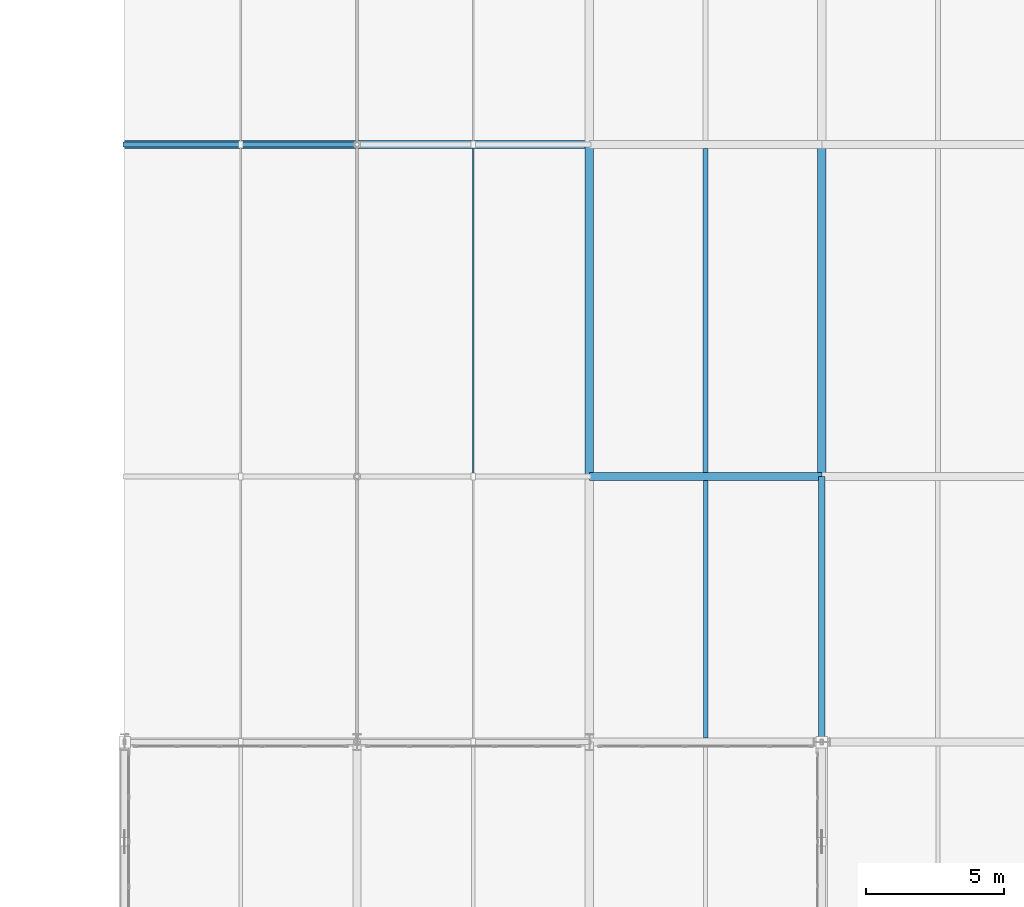
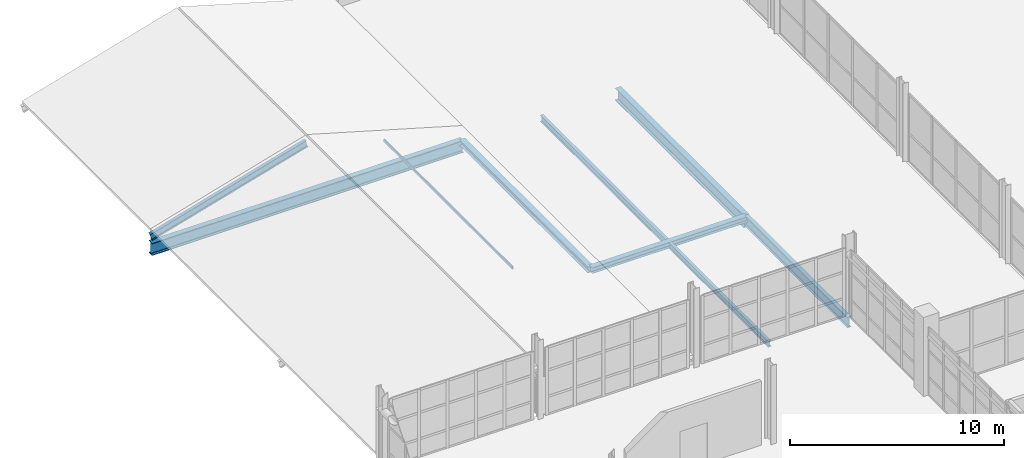
# One storey, part 35 of 130: 8 beams, 1 member.
"""IFC4 building model written with IfcOpenShell, lengths in metres."""

from ifc_helpers import new_model, si_unit, direction, frame, origin, origin_2d, place, context, subcontext, project, spatial, hollow_rectangle, i_section, extrude, material, material_profile, profile_set, type_object, element, save


model = new_model("IFC4")

# Units and contexts
model_context = context("Model", 3, precision=1e-05, world=origin(), true_north=direction((0.0, 1.0)))
body_context = subcontext(model_context, "Body", "Model", "MODEL_VIEW")
ifc_project = project(units=[si_unit("LENGTHUNIT", "METRE"), si_unit("AREAUNIT", "SQUARE_METRE"), si_unit("VOLUMEUNIT", "CUBIC_METRE"), si_unit("PLANEANGLEUNIT", "RADIAN"), si_unit("MASSUNIT", "GRAM", prefix="KILO")], contexts=[model_context])

# Site, building, storey
site_placement = place(None, origin())
site = spatial("IfcSite", under=ifc_project, at=site_placement, CompositionType="ELEMENT")
building_placement = place(site_placement, origin())
building = spatial("IfcBuilding", under=site, at=building_placement, Name="Veltarok Museum of Natural Sciences", CompositionType="ELEMENT")
storey_placement = place(building_placement, frame((0.0, 0.0, 12.89990234375)))
storey = spatial("IfcBuildingStorey", under=building, at=storey_placement, Name="L02", CompositionType="ELEMENT", Elevation=12.89990234375)

# Beams
ifc_material = material(Name="Steel S355J2", Category="steel")
ifc_material_profile_1 = material_profile(ifc_material, i_section(OverallWidth=0.169921875, OverallDepth=0.360107421875, WebThickness=0.008056640625, FlangeThickness=0.0126953125, FilletRadius=0.01806640625, at=origin_2d()), Name="IPE 360")
ifc_profile_set_1 = profile_set([ifc_material_profile_1], Name="Steel S355J2")
beam_type_1 = type_object("IfcBeamType", Name="Long-Bay Composite Joist IPE 360", PredefinedType="JOIST", material=ifc_profile_set_1)
beam_1_placement = place(storey_placement, frame((27.39990234375, 36.14794921875, -0.429931640625), z_axis=(0.0, 1.0, 0.0), x_axis=(-1.0, 0.0, 0.0)))
element("IfcBeam", 1, at=beam_1_placement, inside=storey, type_object=beam_type_1, Name="Secondary Joist BM-J01 L02 3-4/E-F.1", PredefinedType="JOIST", context=body_context, shape_type="SweptSolid", body=[
    extrude(i_section(OverallWidth=0.169921875, OverallDepth=0.360107421875, WebThickness=0.008056640625, FlangeThickness=0.0126953125, FilletRadius=0.01806640625, at=origin_2d()), origin(), (0.0, 0.0, 1.0), 11.7041015625),
])
ifc_material_profile_2 = material_profile(ifc_material, i_section(OverallWidth=0.300048828125, OverallDepth=0.699951171875, WebThickness=0.01708984375, FlangeThickness=0.031982421875, FilletRadius=0.027099609375, at=origin_2d()), Name="HEB 700")
ifc_profile_set_2 = profile_set([ifc_material_profile_2], Name="Steel S355J2")
beam_type_2 = type_object("IfcBeamType", Name="Long-Span Hall Girder HEB 700", PredefinedType="BEAM", material=ifc_profile_set_2)
beam_2_placement = place(storey_placement, frame((6.39990234375, 48.0, -0.599853515625), z_axis=(1.0, 0.0, 0.0), x_axis=(0.0, 1.0, 0.0)))
element("IfcBeam", 2, at=beam_2_placement, inside=storey, type_object=beam_type_2, Name="Auditorium Long-Span Girder L02 1-3/F", PredefinedType="BEAM", context=body_context, shape_type="SweptSolid", body=[
    extrude(i_section(OverallWidth=0.300048828125, OverallDepth=0.699951171875, WebThickness=0.01708984375, FlangeThickness=0.031982421875, FilletRadius=0.027099609375, at=origin_2d()), origin(), (0.0, 0.0, 1.0), 16.800048828125),
])
beam_3_placement = place(storey_placement, frame((31.60009765625, 36.0, -0.599853515625), z_axis=(0.0, 1.0, 0.0), x_axis=(-1.0, 0.0, 0.0)))
element("IfcBeam", 3, at=beam_3_placement, inside=storey, type_object=beam_type_2, Name="Beam BM-G01 L02 4/E-F", PredefinedType="BEAM", context=body_context, shape_type="SweptSolid", body=[
    extrude(i_section(OverallWidth=0.300048828125, OverallDepth=0.699951171875, WebThickness=0.01708984375, FlangeThickness=0.031982421875, FilletRadius=0.027099609375, at=origin_2d()), origin(), (0.0, 0.0, 1.0), 12.0),
])
ifc_material_profile_3 = material_profile(ifc_material, i_section(OverallWidth=0.159912109375, OverallDepth=0.330078125, WebThickness=0.007568359375, FlangeThickness=0.011474609375, FilletRadius=0.01806640625, at=origin_2d()), Name="IPE 330")
ifc_profile_set_3 = profile_set([ifc_material_profile_3], Name="Steel S355J2")
beam_type_3 = type_object("IfcBeamType", Name="Medium-Bay Composite Joist IPE 330", PredefinedType="JOIST", material=ifc_profile_set_3)
beam_4_placement = place(storey_placement, frame((27.39990234375, 26.548095703125, -0.414794921875), z_axis=(0.0, 1.0, 0.0), x_axis=(-1.0, 0.0, 0.0)))
element("IfcBeam", 4, at=beam_4_placement, inside=storey, type_object=beam_type_3, Name="Secondary Joist BM-J02 L02 3-4/D-E.1", PredefinedType="JOIST", context=body_context, shape_type="SweptSolid", body=[
    extrude(i_section(OverallWidth=0.159912109375, OverallDepth=0.330078125, WebThickness=0.007568359375, FlangeThickness=0.011474609375, FilletRadius=0.01806640625, at=origin_2d()), origin(), (0.0, 0.0, 1.0), 9.303955078125),
])
ifc_material_profile_4 = material_profile(ifc_material, i_section(OverallWidth=0.300048828125, OverallDepth=0.330078125, WebThickness=0.009521484375, FlangeThickness=0.0166015625, FilletRadius=0.027099609375, at=origin_2d()), Name="HEA 340")
ifc_profile_set_4 = profile_set([ifc_material_profile_4], Name="Steel S355J2")
beam_type_4 = type_object("IfcBeamType", Name="Perimeter Upper Spandrel HEA 340", PredefinedType="SPANDREL", material=ifc_profile_set_4)
beam_5_placement = place(storey_placement, frame((23.199951171875, 36.0, -0.414794921875), z_axis=(1.0, 0.0, 0.0), x_axis=(0.0, 1.0, 0.0)))
element("IfcBeam", 5, at=beam_5_placement, inside=storey, type_object=beam_type_4, Name="Beam BM-SP05 L02 3-4/E", PredefinedType="SPANDREL", context=body_context, shape_type="SweptSolid", body=[
    extrude(i_section(OverallWidth=0.300048828125, OverallDepth=0.330078125, WebThickness=0.009521484375, FlangeThickness=0.0166015625, FilletRadius=0.027099609375, at=origin_2d()), origin(), (0.0, 0.0, 1.0), 8.400146484375),
])
beam_6_placement = place(storey_placement, frame((23.199951171875, 36.0, -0.414794921875), z_axis=(0.0, 1.0, 0.0), x_axis=(-1.0, 0.0, 0.0)))
element("IfcBeam", 6, at=beam_6_placement, inside=storey, type_object=beam_type_4, Name="Beam BM-SP05 L02 3/E-F", PredefinedType="SPANDREL", context=body_context, shape_type="SweptSolid", body=[
    extrude(i_section(OverallWidth=0.300048828125, OverallDepth=0.330078125, WebThickness=0.009521484375, FlangeThickness=0.0166015625, FilletRadius=0.027099609375, at=origin_2d()), origin(), (0.0, 0.0, 1.0), 12.0),
])
ifc_material_profile_5 = material_profile(ifc_material, i_section(OverallWidth=0.219970703125, OverallDepth=0.60009765625, WebThickness=0.011962890625, FlangeThickness=0.01904296875, FilletRadius=0.02392578125, at=origin_2d()), Name="IPE 600")
ifc_profile_set_5 = profile_set([ifc_material_profile_5], Name="Steel S355J2")
beam_type_5 = type_object("IfcBeamType", Name="Primary Museum Girder IPE 600", PredefinedType="BEAM", material=ifc_profile_set_5)
beam_7_placement = place(storey_placement, frame((31.60009765625, 26.39990234375, -0.5498046875), z_axis=(0.0, 1.0, 0.0), x_axis=(-1.0, 0.0, 0.0)))
element("IfcBeam", 7, at=beam_7_placement, inside=storey, type_object=beam_type_5, Name="Beam BM-G02 L02 4/D-E", PredefinedType="BEAM", context=body_context, shape_type="SweptSolid", body=[
    extrude(i_section(OverallWidth=0.219970703125, OverallDepth=0.60009765625, WebThickness=0.011962890625, FlangeThickness=0.01904296875, FilletRadius=0.02392578125, at=origin_2d()), origin(), (0.0, 0.0, 1.0), 9.60009765625),
])

# Member
ifc_material_profile_6 = material_profile(ifc_material, hollow_rectangle(XDim=0.06005859375, YDim=0.159912109375, WallThickness=0.0048828125, at=origin_2d()), Name="RHS 160x60x5")
ifc_profile_set_6 = profile_set([ifc_material_profile_6], Name="Steel S355J2")
member_type = type_object("IfcMemberType", Name="Sawtooth Roof Purlin RHS 160x60x5", PredefinedType="PURLIN", material=ifc_profile_set_6)
member_placement = place(storey_placement, frame((19.0, 36.0, 1.13623046875), z_axis=(0.0, 1.0, 0.0), x_axis=(-1.0, 0.0, 0.0)))
element("IfcMember", 8, at=member_placement, inside=storey, type_object=member_type, Name="Auditorium Roof Purlin ME E-F", PredefinedType="PURLIN", context=body_context, shape_type="SweptSolid", body=[
    extrude(hollow_rectangle(XDim=0.06005859375, YDim=0.159912109375, WallThickness=0.0048828125, at=origin_2d()), origin(), (0.0, 0.0, 1.0), 12.0),
])

# Beam
ifc_material_profile_7 = material_profile(ifc_material, i_section(OverallWidth=0.179931640625, OverallDepth=0.39990234375, WebThickness=0.008544921875, FlangeThickness=0.013427734375, FilletRadius=0.02099609375, at=origin_2d()), Name="IPE 400")
ifc_profile_set_7 = profile_set([ifc_material_profile_7], Name="Steel S355J2")
beam_type_6 = type_object("IfcBeamType", Name="Sawtooth and Folded Roof Rafter IPE 400", PredefinedType="BEAM", material=ifc_profile_set_7)
beam_8_placement = place(storey_placement, frame((6.39990234375, 48.0, 0.05126953125), z_axis=(0.961225035596, 0.0, 0.275765173551), x_axis=(0.0, 1.0, 0.0)))
element("IfcBeam", 9, at=beam_8_placement, inside=storey, type_object=beam_type_6, Name="Auditorium Roof Rafter Y=48.0 1", PredefinedType="BEAM", context=body_context, shape_type="SweptSolid", body=[
    extrude(i_section(OverallWidth=0.179931640625, OverallDepth=0.39990234375, WebThickness=0.008544921875, FlangeThickness=0.013427734375, FilletRadius=0.02099609375, at=origin_2d()), origin(), (0.0, 0.0, 1.0), 8.739013671875),
])

save(model, "model.ifc")
